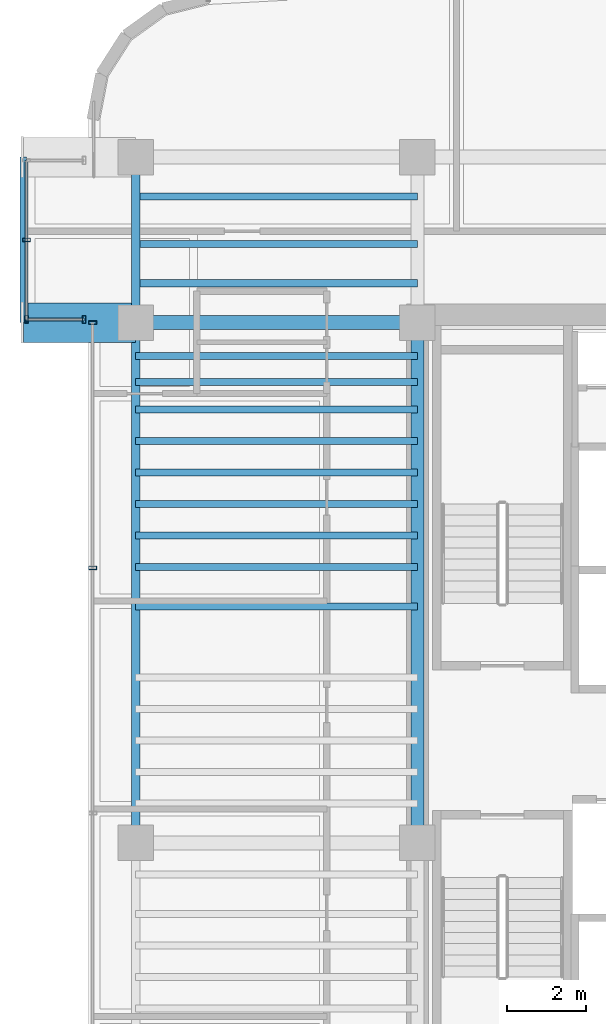
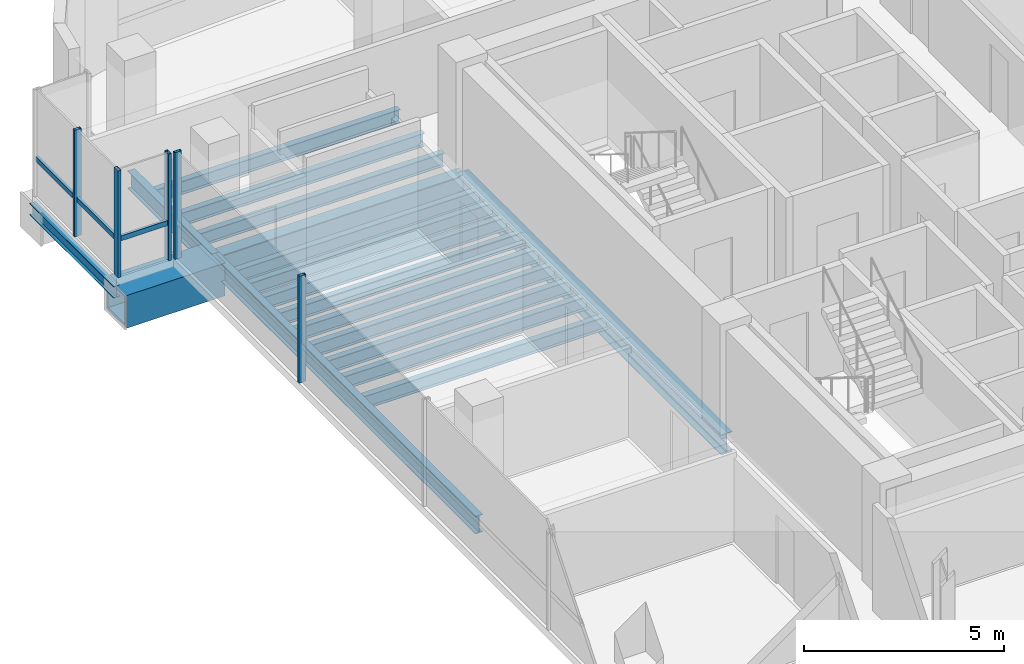
# One storey, part 8 of 21: 18 beams, 7 members, 3 elements without a shape of their own.
"""IFC4 building model written with IfcOpenShell, lengths in metres."""

import ifcopenshell
import ifcopenshell.guid

model = None  # the IFC model being written
_history = None  # IfcOwnerHistory: only IFC2X3 demands one
_inside = {}  # id of a spatial element -> (the spatial element, [elements in it])
_under = {}  # id of a project, library or spatial element -> (it, [spatial elements below it])
_declared = {}  # id of a project -> (the project, [libraries it declares])
_typed = {}  # id of a type object -> (the type object, [elements of that type])
_made_of = {}  # id of a material, layer set ... -> (it, [elements and type objects made of it])


def new_model(schema):
    """Start an empty IFC model of exactly this schema.

    Asked for "IFC4X3", IfcOpenShell would pick the latest addendum, in which some entities
    have other attributes; the version numbers below select the first issue.
    IFC2X3 requires an IfcOwnerHistory on every rooted entity: one is made here for all.
    """
    global model, _history
    if schema == "IFC4X3":
        model = ifcopenshell.file(schema_version=(4, 3, 0, 0))
    else:
        model = ifcopenshell.file(schema=schema)
    _inside.clear()
    _under.clear()
    _declared.clear()
    _typed.clear()
    _made_of.clear()
    _history = None
    if model.schema == "IFC2X3":
        org = make("IfcOrganization", Name="unknown")
        user = make(
            "IfcPersonAndOrganization",
            ThePerson=make("IfcPerson", FamilyName="unknown"),
            TheOrganization=org,
        )
        app = make(
            "IfcApplication",
            ApplicationDeveloper=org,
            Version="unknown",
            ApplicationFullName="unknown",
            ApplicationIdentifier="unknown",
        )
        _history = make(
            "IfcOwnerHistory",
            OwningUser=user,
            OwningApplication=app,
            ChangeAction="ADDED",
            CreationDate=0,
        )
    return model


def make(cls, **values):
    """One entity of the class cls with the attributes given. An attribute that is None is left unset."""
    return model.create_entity(
        cls, **{name: value for name, value in values.items() if value is not None}
    )


def rooted(cls, **values):
    """An entity with a GlobalId (a new one), such as an element, a storey or a relation."""
    return make(cls, GlobalId=ifcopenshell.guid.new(), OwnerHistory=_history, **values)


def si_unit(unit_type, name, prefix=None):
    """IfcSIUnit, for example si_unit("LENGTHUNIT", "METRE", prefix="MILLI")."""
    return make("IfcSIUnit", UnitType=unit_type, Prefix=prefix, Name=name)


def assignment(units):
    """IfcUnitAssignment: the units of a project."""
    return None if units is None else make("IfcUnitAssignment", Units=units)


def point(xyz):
    """IfcCartesianPoint."""
    return None if xyz is None else make("IfcCartesianPoint", Coordinates=xyz)


def direction(xyz):
    """IfcDirection."""
    return None if xyz is None else make("IfcDirection", DirectionRatios=xyz)


def frame(location, z_axis=None, x_axis=None):
    """IfcAxis2Placement3D, a coordinate frame: its origin and axes. An axis left out is left unset."""
    return make(
        "IfcAxis2Placement3D",
        Location=point(location),
        Axis=direction(z_axis),
        RefDirection=direction(x_axis),
    )


def frame_2d(location, x_axis=None):
    """IfcAxis2Placement2D, a coordinate frame in the plane: its origin and x axis."""
    return make(
        "IfcAxis2Placement2D", Location=point(location), RefDirection=direction(x_axis)
    )


def origin():
    """The frame at (0, 0, 0) with its axes left unset."""
    return frame((0.0, 0.0, 0.0))


def origin_2d():
    """The frame at (0, 0) in the plane with its x axis left unset."""
    return frame_2d((0.0, 0.0))


def place(relative_to, where):
    """IfcLocalPlacement: puts the frame where relative to a parent placement (None: the world)."""
    return make(
        "IfcLocalPlacement", PlacementRelTo=relative_to, RelativePlacement=where
    )


def context(
    kind, dimensions, precision=None, world=None, true_north=None, identifier=None
):
    """IfcGeometricRepresentationContext, for example the 3D "Model" context."""
    return make(
        "IfcGeometricRepresentationContext",
        ContextIdentifier=identifier,
        ContextType=kind,
        CoordinateSpaceDimension=dimensions,
        Precision=precision,
        WorldCoordinateSystem=world,
        TrueNorth=true_north,
    )


def subcontext(parent, identifier, kind, view, scale=None):
    """IfcGeometricRepresentationSubContext, for example "Body" below "Model"."""
    return make(
        "IfcGeometricRepresentationSubContext",
        ContextIdentifier=identifier,
        ContextType=kind,
        ParentContext=parent,
        TargetScale=scale,
        TargetView=view,
    )


def project(units=None, contexts=None):
    """IfcProject with its units and contexts."""
    return rooted(
        "IfcProject",
        Name="project",
        RepresentationContexts=contexts,
        UnitsInContext=assignment(units),
    )


def spatial(cls, under=None, at=None, **own):
    """A site, building, storey or space (cls), placed at a placement, below another one or the project."""
    s = rooted(cls, ObjectPlacement=at, **own)
    if under is not None:
        _under.setdefault(under.id(), (under, []))[1].append(s)
    return s


def profile(cls, at=None, kind="AREA", **sizes):
    """A parametric profile (cls). Its sizes go by their IFC names, for example OverallWidth=200.0."""
    return make(cls, ProfileType=kind, Position=at, **sizes)


def hollow_rectangle(**sizes):
    """IfcRectangleHollowProfileDef."""
    return profile("IfcRectangleHollowProfileDef", **sizes)


def i_section(**sizes):
    """IfcIShapeProfileDef."""
    return profile("IfcIShapeProfileDef", **sizes)


def extrude(swept, where, along, depth):
    """IfcExtrudedAreaSolid: the profile swept, set in the frame where, extruded along a direction by depth."""
    return make(
        "IfcExtrudedAreaSolid",
        SweptArea=swept,
        Position=where,
        ExtrudedDirection=direction(along),
        Depth=depth,
    )


def shape(context_of_items, identifier, shape_type, items):
    """IfcShapeRepresentation: the items that make up one representation, for example the "Body"."""
    return make(
        "IfcShapeRepresentation",
        ContextOfItems=context_of_items,
        RepresentationIdentifier=identifier,
        RepresentationType=shape_type,
        Items=items,
    )


def source(mapping_origin, context_of_items, identifier, shape_type, items):
    """IfcRepresentationMap: a shape defined once, which mapped items show again and again."""
    return make(
        "IfcRepresentationMap",
        MappingOrigin=mapping_origin,
        MappedRepresentation=shape(context_of_items, identifier, shape_type, items),
    )


def transform(
    local_origin,
    x_axis=None,
    y_axis=None,
    z_axis=None,
    scale=None,
    scale2=None,
    scale3=None,
    uniform=True,
):
    """IfcCartesianTransformationOperator3D, or its non-uniform kind. x_axis, y_axis, z_axis: its Axis1, 2, 3."""
    if uniform:
        return make(
            "IfcCartesianTransformationOperator3D",
            Axis1=direction(x_axis),
            Axis2=direction(y_axis),
            LocalOrigin=point(local_origin),
            Scale=scale,
            Axis3=direction(z_axis),
        )
    return make(
        "IfcCartesianTransformationOperator3DnonUniform",
        Axis1=direction(x_axis),
        Axis2=direction(y_axis),
        LocalOrigin=point(local_origin),
        Scale=scale,
        Axis3=direction(z_axis),
        Scale2=scale2,
        Scale3=scale3,
    )


def mapped(mapping_source, mapping_target):
    """IfcMappedItem: shows the shape of a source again, moved by a transform."""
    return make(
        "IfcMappedItem", MappingSource=mapping_source, MappingTarget=mapping_target
    )


def material(Name=None, Category=None):
    """IfcMaterial."""
    return make("IfcMaterial", Name=Name, Category=Category)


def material_profile(
    of_material, cross_section, Name=None, Category=None, Priority=None
):
    """IfcMaterialProfile: a cross section and its material."""
    return make(
        "IfcMaterialProfile",
        Name=Name,
        Material=of_material,
        Profile=cross_section,
        Priority=Priority,
        Category=Category,
    )


def profile_set(profiles, Name=None, composite=None):
    """IfcMaterialProfileSet."""
    return make(
        "IfcMaterialProfileSet",
        Name=Name,
        MaterialProfiles=profiles,
        CompositeProfile=composite,
    )


def made_of(thing, what):
    """Note that an element or type object is made of a material, layer set ...; save() writes the relation."""
    if what is not None:
        _made_of.setdefault(what.id(), (what, []))[1].append(thing)
    return thing


def type_object(cls, material=None, **own):
    """A type object (cls), such as IfcWallType, which elements share."""
    return made_of(rooted(cls, **own), material)


def element(
    cls,
    number,
    at=None,
    inside=None,
    cuts=None,
    type_object=None,
    material=None,
    context=None,
    identifier="Body",
    shape_type=None,
    held_by="IfcProductDefinitionShape",
    body=None,
    shapes=None,
    **own,
):
    """One element of the class cls, such as IfcWall. Its Tag is "e" and its number.

    at: its placement. inside: the storey or other place that contains it. cuts: it is an
    opening in that element (IfcRelVoidsElement). A single representation is given by context,
    identifier, shape_type and body (its items); several are given by shapes. held_by: the class
    of the entity that holds the representations. save() writes the other relations.
    """
    e = rooted(cls, Tag="e%d" % number, ObjectPlacement=at, **own)
    if body is not None:
        shapes = [shape(context, identifier, shape_type, body)]
    if shapes is not None:
        e.Representation = make(held_by, Representations=shapes)
    if inside is not None:
        _inside.setdefault(inside.id(), (inside, []))[1].append(e)
    if cuts is not None:
        rooted(
            "IfcRelVoidsElement", RelatingBuildingElement=cuts, RelatedOpeningElement=e
        )
    if type_object is not None:
        _typed.setdefault(type_object.id(), (type_object, []))[1].append(e)
    return made_of(e, material)


def aggregate(whole, parts):
    """IfcRelAggregates: a whole, such as a stair, and the parts it consists of."""
    return rooted("IfcRelAggregates", RelatingObject=whole, RelatedObjects=parts)


def save(model, path):
    """Write the relations noted so far, then the file.

    IfcRelAggregates (storeys below a building ...), IfcRelContainedInSpatialStructure (elements
    in a storey), IfcRelDefinesByType, IfcRelAssociatesMaterial and IfcRelDeclares: one each for
    every whole, place, type object, material and project.
    """
    for whole, parts in _under.values():
        aggregate(whole, parts)
    for where, things in _inside.values():
        rooted(
            "IfcRelContainedInSpatialStructure",
            RelatedElements=things,
            RelatingStructure=where,
        )
    for kind, things in _typed.values():
        rooted("IfcRelDefinesByType", RelatedObjects=things, RelatingType=kind)
    for what, things in _made_of.values():
        rooted("IfcRelAssociatesMaterial", RelatedObjects=things, RelatingMaterial=what)
    for by, libraries in _declared.values():
        rooted("IfcRelDeclares", RelatingContext=by, RelatedDefinitions=libraries)
    model.write(path)


model = new_model("IFC4")

# Units and contexts
model_context = context("Model", 3, precision=1e-05, world=origin(), true_north=direction((0.0, 1.0)))
body_context = subcontext(model_context, "Body", "Model", "MODEL_VIEW")
ifc_project = project(units=[si_unit("LENGTHUNIT", "METRE"), si_unit("AREAUNIT", "SQUARE_METRE"), si_unit("VOLUMEUNIT", "CUBIC_METRE"), si_unit("PLANEANGLEUNIT", "RADIAN"), si_unit("MASSUNIT", "GRAM", prefix="KILO")], contexts=[model_context])

# Site, building, storey
site_placement = place(None, origin())
site = spatial("IfcSite", under=ifc_project, at=site_placement, CompositionType="ELEMENT")
building_placement = place(site_placement, origin())
building = spatial("IfcBuilding", under=site, at=building_placement, Name="Valdorenza Pilgrim Sanctuary Tower", CompositionType="ELEMENT")
storey_placement = place(building_placement, frame((0.0, 0.0, 219.5)))
storey = spatial("IfcBuildingStorey", under=building, at=storey_placement, Name="L56", CompositionType="ELEMENT", Elevation=219.5)

# Beams
ifc_material_1 = material(Name="Steel ASTM A992 Grade 50", Category="steel")
ifc_material_profile_1 = material_profile(ifc_material_1, i_section(OverallWidth=0.323974609375, OverallDepth=0.611083984375, WebThickness=0.0126953125, FlangeThickness=0.01904296875, at=origin_2d()), Name="W24X104")
ifc_profile_set_1 = profile_set([ifc_material_profile_1], Name="Steel ASTM A992 Grade 50")
beam_type_1 = type_object("IfcBeamType", Name="STR-BM-GRD-W24B", PredefinedType="BEAM", material=ifc_profile_set_1)
shared_shape_1 = source(origin(), body_context, "Body", "SweptSolid", [
    extrude(i_section(OverallWidth=0.323974609375, OverallDepth=0.611083984375, WebThickness=0.0126953125, FlangeThickness=0.01904296875, at=origin_2d()), origin(), (0.0, 0.0, 1.0), 13.2001953125),
])
beam_1_placement = place(storey_placement, frame((-22.64990234375, -2.60009765625, -0.54541015625), z_axis=(0.0, 1.0, 0.0), x_axis=(-1.0, 0.0, 0.0)))
element("IfcBeam", 1, at=beam_1_placement, inside=storey, type_object=beam_type_1, Name="L56 Core Tie Girder CA-W-M0N1", PredefinedType="BEAM", context=body_context, shape_type="MappedRepresentation", body=[
    mapped(shared_shape_1, transform((0.0, 0.0, 0.0), x_axis=(1.0, 0.0, 0.0), y_axis=(0.0, 1.0, 0.0), z_axis=(0.0, 0.0, 1.0), scale=1.0)),
])
ifc_material_profile_2 = material_profile(ifc_material_1, i_section(OverallWidth=0.1708984375, OverallDepth=0.35107421875, WebThickness=0.0068359375, FlangeThickness=0.009765625, at=origin_2d()), Name="W14X30")
ifc_profile_set_2 = profile_set([ifc_material_profile_2], Name="Steel ASTM A992 Grade 50")
beam_type_2 = type_object("IfcBeamType", Name="STR-BM-BOX-W14", PredefinedType="BEAM", material=ifc_profile_set_2)
shared_shape_2 = source(origin(), body_context, "Body", "SweptSolid", [
    extrude(i_section(OverallWidth=0.1708984375, OverallDepth=0.35107421875, WebThickness=0.0068359375, FlangeThickness=0.009765625, at=origin_2d()), origin(), (0.0, 0.0, 1.0), 4.199951171875),
])
beam_2_placement = place(storey_placement, frame((-32.64990234375, 10.60009765625, -0.41552734375), z_axis=(0.0, 1.0, 0.0), x_axis=(-1.0, 0.0, 0.0)))
element("IfcBeam", 2, at=beam_2_placement, inside=storey, type_object=beam_type_2, Name="L56 Glass Box Edge Beam BOX-WA-L56-F", PredefinedType="BEAM", context=body_context, shape_type="MappedRepresentation", body=[
    mapped(shared_shape_2, transform((0.0, 0.0, 0.0), x_axis=(1.0, 0.0, 0.0), y_axis=(0.0, 1.0, 0.0), z_axis=(0.0, 0.0, 1.0), scale=1.0)),
])
ifc_material_2 = material(Name="Steel ASTM A572 Grade 42", Category="steel")
ifc_material_profile_3 = material_profile(ifc_material_2, hollow_rectangle(XDim=1.0, YDim=1.0, WallThickness=0.080078125, at=origin_2d()), Name="BOX 1000x1000x80")
ifc_profile_set_3 = profile_set([ifc_material_profile_3], Name="Steel ASTM A572 Grade 42")
beam_type_3 = type_object("IfcBeamType", Name="STR-BM-PROW-CANT", PredefinedType="BEAM", material=ifc_profile_set_3)
shared_shape_3 = source(origin(), body_context, "Body", "SweptSolid", [
    extrude(hollow_rectangle(XDim=1.0, YDim=1.0, WallThickness=0.080078125, at=origin_2d()), origin(), (0.0, 0.0, 1.0), 2.849853515625),
])
beam_3_placement = place(storey_placement, frame((-29.800048828125, 10.60009765625, -0.739990234375), z_axis=(-1.0, 0.0, 0.0), x_axis=(0.0, -1.0, 0.0)))
element("IfcBeam", 3, at=beam_3_placement, inside=storey, type_object=beam_type_3, Name="L56 Glass Box Cantilever Beam BOX-WA-L56-CT-S", PredefinedType="BEAM", context=body_context, shape_type="MappedRepresentation", body=[
    mapped(shared_shape_3, transform((0.0, 0.0, 0.0), x_axis=(1.0, 0.0, 0.0), y_axis=(0.0, 1.0, 0.0), z_axis=(0.0, 0.0, 1.0), scale=1.0)),
])
ifc_material_profile_4 = material_profile(ifc_material_1, i_section(OverallWidth=0.2109375, OverallDepth=0.5390625, WebThickness=0.01171875, FlangeThickness=0.018798828125, at=origin_2d()), Name="W21X73")
ifc_profile_set_4 = profile_set([ifc_material_profile_4], Name="Steel ASTM A992 Grade 50")
beam_type_4 = type_object("IfcBeamType", Name="STR-BM-SPN-W21B", PredefinedType="SPANDREL", material=ifc_profile_set_4)
shared_shape_4 = source(origin(), body_context, "Body", "SweptSolid", [
    extrude(i_section(OverallWidth=0.2109375, OverallDepth=0.5390625, WebThickness=0.01171875, FlangeThickness=0.018798828125, at=origin_2d()), origin(), (0.0, 0.0, 1.0), 13.2001953125),
])
beam_4_placement = place(storey_placement, frame((-29.800048828125, -2.60009765625, -0.509521484375), z_axis=(0.0, 1.0, 0.0), x_axis=(-1.0, 0.0, 0.0)))
element("IfcBeam", 4, at=beam_4_placement, inside=storey, type_object=beam_type_4, Name="L56 Spandrel Beam WA-W-M0N1", PredefinedType="SPANDREL", context=body_context, shape_type="MappedRepresentation", body=[
    mapped(shared_shape_4, transform((0.0, 0.0, 0.0), x_axis=(1.0, 0.0, 0.0), y_axis=(0.0, 1.0, 0.0), z_axis=(0.0, 0.0, 1.0), scale=1.0)),
])
shared_shape_5 = source(origin(), body_context, "Body", "SweptSolid", [
    extrude(i_section(OverallWidth=0.2109375, OverallDepth=0.5390625, WebThickness=0.01171875, FlangeThickness=0.018798828125, at=origin_2d()), origin(), (0.0, 0.0, 1.0), 4.199951171875),
])
beam_5_placement = place(storey_placement, frame((-29.800048828125, 10.60009765625, -0.509521484375), z_axis=(0.0, 1.0, 0.0), x_axis=(-1.0, 0.0, 0.0)))
element("IfcBeam", 5, at=beam_5_placement, inside=storey, type_object=beam_type_4, Name="L56 Spandrel Beam WA-W-N1N2", PredefinedType="SPANDREL", context=body_context, shape_type="MappedRepresentation", body=[
    mapped(shared_shape_5, transform((0.0, 0.0, 0.0), x_axis=(1.0, 0.0, 0.0), y_axis=(0.0, 1.0, 0.0), z_axis=(0.0, 0.0, 1.0), scale=1.0)),
])
ifc_material_profile_5 = material_profile(ifc_material_1, i_section(OverallWidth=0.35595703125, OverallDepth=0.700927734375, WebThickness=0.016845703125, FlangeThickness=0.02734375, at=origin_2d()), Name="W27X161")
ifc_profile_set_5 = profile_set([ifc_material_profile_5], Name="Steel ASTM A992 Grade 50")
beam_type_5 = type_object("IfcBeamType", Name="STR-BM-GRD-W27", PredefinedType="BEAM", material=ifc_profile_set_5)
shared_shape_6 = source(origin(), body_context, "Body", "SweptSolid", [
    extrude(i_section(OverallWidth=0.35595703125, OverallDepth=0.700927734375, WebThickness=0.016845703125, FlangeThickness=0.02734375, at=origin_2d()), origin(), (0.0, 0.0, 1.0), 7.150146484375),
])
beam_6_placement = place(storey_placement, frame((-29.800048828125, 10.60009765625, -0.590576171875), z_axis=(1.0, 0.0, 0.0), x_axis=(0.0, 1.0, 0.0)))
element("IfcBeam", 6, at=beam_6_placement, inside=storey, type_object=beam_type_5, Name="L56 Floor Girder WA-XW-N1", PredefinedType="BEAM", context=body_context, shape_type="MappedRepresentation", body=[
    mapped(shared_shape_6, transform((0.0, 0.0, 0.0), x_axis=(1.0, 0.0, 0.0), y_axis=(0.0, 1.0, 0.0), z_axis=(0.0, 0.0, 1.0), scale=1.0)),
])
ifc_material_profile_6 = material_profile(ifc_material_1, i_section(OverallWidth=0.177978515625, OverallDepth=0.406005859375, WebThickness=0.0078125, FlangeThickness=0.0126953125, at=origin_2d()), Name="W16X40")
ifc_profile_set_6 = profile_set([ifc_material_profile_6], Name="Steel ASTM A992 Grade 50")
beam_type_6 = type_object("IfcBeamType", Name="STR-BM-JST-W16", PredefinedType="JOIST", material=ifc_profile_set_6)
shared_shape_7 = source(origin(), body_context, "Body", "SweptSolid", [
    extrude(i_section(OverallWidth=0.177978515625, OverallDepth=0.406005859375, WebThickness=0.0078125, FlangeThickness=0.0126953125, at=origin_2d()), origin(), (0.0, 0.0, 1.0), 7.150146484375),
])
for number, where, z_axis, x_axis, name in (
    (7, (-29.800048828125, 3.39990234375, -0.443115234375), (1.0, 0.0, 0.0), (0.0, 1.0, 0.0), "L56 Composite Floor Joist JST-WA-15"),
    (8, (-29.800048828125, 4.39990234375, -0.443115234375), (1.0, 0.0, 0.0), (0.0, 1.0, 0.0), "L56 Composite Floor Joist JST-WA-16"),
    (9, (-29.800048828125, 5.199951171875, -0.443115234375), (1.0, 0.0, 0.0), (0.0, 1.0, 0.0), "L56 Composite Floor Joist JST-WA-17"),
    (10, (-29.800048828125, 6.0, -0.443115234375), (1.0, 0.0, 0.0), (0.0, 1.0, 0.0), "L56 Composite Floor Joist JST-WA-18"),
    (11, (-29.800048828125, 6.800048828125, -0.443115234375), (1.0, 0.0, 0.0), (0.0, 1.0, 0.0), "L56 Composite Floor Joist JST-WA-19"),
    (12, (-29.800048828125, 7.60009765625, -0.443115234375), (1.0, 0.0, 0.0), (0.0, 1.0, 0.0), "L56 Composite Floor Joist JST-WA-20"),
    (13, (-29.800048828125, 8.39990234375, -0.443115234375), (1.0, 0.0, 0.0), (0.0, 1.0, 0.0), "L56 Composite Floor Joist JST-WA-21"),
    (14, (-29.800048828125, 9.10009765625, -0.443115234375), (1.0, 0.0, 0.0), (0.0, 1.0, 0.0), "L56 Composite Floor Joist JST-WA-22"),
    (15, (-29.800048828125, 9.75, -0.443115234375), (1.0, 0.0, 0.0), (0.0, 1.0, 0.0), "L56 Composite Floor Joist JST-WA-23"),
    (16, (-29.800048828125, 11.60009765625, -0.443115234375), (1.0, 0.0, 0.0), (0.0, 1.0, 0.0), "L56 Composite Floor Joist JST-WA-24"),
    (17, (-29.800048828125, 12.60009765625, -0.443115234375), (1.0, 0.0, 0.0), (0.0, 1.0, 0.0), "L56 Composite Floor Joist JST-WA-25"),
    (18, (-29.800048828125, 13.800048828125, -0.443115234375), (1.0, 0.0, 0.0), (0.0, 1.0, 0.0), "L56 Composite Floor Joist JST-WA-26"),
):
    element("IfcBeam", number, at=place(storey_placement, frame(where, z_axis=z_axis, x_axis=x_axis)), inside=storey, type_object=beam_type_6, Name=name, PredefinedType="JOIST", context=body_context, shape_type="MappedRepresentation", body=[
        mapped(shared_shape_7, transform((0.0, 0.0, 0.0), x_axis=(1.0, 0.0, 0.0), y_axis=(0.0, 1.0, 0.0), z_axis=(0.0, 0.0, 1.0), scale=1.0)),
    ])

# Curtain wall, member
ifc_material_3 = material(Name="Curtain-wall IGU glazing", Category="glass")
curtain_wall_type = type_object("IfcCurtainWallType", Name="CW-SYS-02", PredefinedType="NOTDEFINED", material=ifc_material_3)
curtain_wall_1_placement = place(storey_placement, origin())
curtain_wall_1 = element("IfcCurtainWall", 19, at=curtain_wall_1_placement, inside=storey, type_object=curtain_wall_type, Name="L56 Curtain Wall CW-L56-BOX-WA-L56-S", PredefinedType="NOTDEFINED")
ifc_material_4 = material(Name="Anodised aluminium AW-6060", Category="aluminium")
ifc_material_profile_7 = material_profile(ifc_material_4, hollow_rectangle(XDim=0.074951171875, YDim=0.14990234375, WallThickness=0.00390625, at=origin_2d()), Name="ALU-T 150x75x4")
ifc_profile_set_7 = profile_set([ifc_material_profile_7], Name="Anodised aluminium AW-6060")
member_type_1 = type_object("IfcMemberType", Name="CW-TRN-02", PredefinedType="USERDEFINED", material=ifc_profile_set_7)
shared_shape_8 = source(origin(), body_context, "Body", "SweptSolid", [
    extrude(hollow_rectangle(XDim=0.074951171875, YDim=0.14990234375, WallThickness=0.00390625, at=origin_2d()), origin(), (0.0, 0.0, 1.0), 1.4599609375),
])
member_1_placement = place(storey_placement, frame((-31.110107421875, 10.679931640625, 1.1201171875), z_axis=(-1.0, 0.0, 0.0), x_axis=(0.0, -1.0, 0.0)))
member_1 = element("IfcMember", 20, at=member_1_placement, type_object=member_type_1, Name="CW-L56-BOX-WA-L56-S Transom 1", ObjectType="TRANSOM", PredefinedType="USERDEFINED", context=body_context, shape_type="MappedRepresentation", body=[
    mapped(shared_shape_8, transform((0.0, 0.0, 0.0), x_axis=(1.0, 0.0, 0.0), y_axis=(0.0, 1.0, 0.0), z_axis=(0.0, 0.0, 1.0), scale=1.0)),
])

curtain_wall_2_placement = place(storey_placement, origin())
curtain_wall_2 = element("IfcCurtainWall", 21, at=curtain_wall_2_placement, inside=storey, type_object=curtain_wall_type, Name="L56 Curtain Wall CW-L56-BOX-WA-L56-F", PredefinedType="NOTDEFINED")
shared_shape_9 = source(origin(), body_context, "Body", "SweptSolid", [
    extrude(hollow_rectangle(XDim=0.074951171875, YDim=0.14990234375, WallThickness=0.00390625, at=origin_2d()), origin(), (0.0, 0.0, 1.0), 4.0400390625),
])
member_2_placement = place(storey_placement, frame((-32.570068359375, 10.679931640625, 1.1201171875), z_axis=(0.0, 1.0, 0.0), x_axis=(-1.0, 0.0, 0.0)))
member_2 = element("IfcMember", 22, at=member_2_placement, type_object=member_type_1, Name="CW-L56-BOX-WA-L56-F Transom 1", ObjectType="TRANSOM", PredefinedType="USERDEFINED", context=body_context, shape_type="MappedRepresentation", body=[
    mapped(shared_shape_9, transform((0.0, 0.0, 0.0), x_axis=(1.0, 0.0, 0.0), y_axis=(0.0, 1.0, 0.0), z_axis=(0.0, 0.0, 1.0), scale=1.0)),
])

# Curtain wall, members
curtain_wall_3_placement = place(storey_placement, origin())
curtain_wall_3 = element("IfcCurtainWall", 23, at=curtain_wall_3_placement, inside=storey, type_object=curtain_wall_type, Name="L56 Curtain Wall CW-L56-1-1S1", PredefinedType="NOTDEFINED")
ifc_material_profile_8 = material_profile(ifc_material_4, hollow_rectangle(XDim=0.0849609375, YDim=0.199951171875, WallThickness=0.0048828125, at=origin_2d()), Name="ALU-M 200x85x5")
ifc_profile_set_8 = profile_set([ifc_material_profile_8], Name="Anodised aluminium AW-6060")
member_type_2 = type_object("IfcMemberType", Name="CW-MUL-02", PredefinedType="MULLION", material=ifc_profile_set_8)
shared_shape_10 = source(origin(), body_context, "Body", "SweptSolid", [
    extrude(hollow_rectangle(XDim=0.0849609375, YDim=0.199951171875, WallThickness=0.0048828125, at=origin_2d()), origin(), (0.0, 0.0, 1.0), 3.260009765625),
])
member_3_placement = place(storey_placement, frame((-30.889892578125, 4.377685546875, 0.0), z_axis=(0.0, 0.0, 1.0), x_axis=(0.0, 1.0, 0.0)))
member_3 = element("IfcMember", 24, at=member_3_placement, type_object=member_type_2, Name="CW-L56-1-1S1 Mullion 4", PredefinedType="MULLION", context=body_context, shape_type="MappedRepresentation", body=[
    mapped(shared_shape_10, transform((0.0, 0.0, 0.0), x_axis=(1.0, 0.0, 0.0), y_axis=(0.0, 1.0, 0.0), z_axis=(0.0, 0.0, 1.0), scale=1.0)),
])
member_4_placement = place(storey_placement, frame((-30.889892578125, 10.60009765625, 0.0), z_axis=(0.0, 0.0, 1.0), x_axis=(0.0, 1.0, 0.0)))
member_4 = element("IfcMember", 25, at=member_4_placement, type_object=member_type_2, Name="CW-L56-1-1S1 Mullion 5", PredefinedType="MULLION", context=body_context, shape_type="MappedRepresentation", body=[
    mapped(shared_shape_10, transform((0.0, 0.0, 0.0), x_axis=(1.0, 0.0, 0.0), y_axis=(0.0, 1.0, 0.0), z_axis=(0.0, 0.0, 1.0), scale=1.0)),
])
aggregate(curtain_wall_3, [member_3, member_4])

# Member
member_5_placement = place(storey_placement, frame((-31.110107421875, 10.679931640625, 0.0), z_axis=(0.0, 0.0, 1.0), x_axis=(-1.0, 0.0, 0.0)))
member_5 = element("IfcMember", 26, at=member_5_placement, type_object=member_type_2, Name="CW-L56-BOX-WA-L56-S Mullion 1", PredefinedType="MULLION", context=body_context, shape_type="MappedRepresentation", body=[
    mapped(shared_shape_10, transform((0.0, 0.0, 0.0), x_axis=(1.0, 0.0, 0.0), y_axis=(0.0, 1.0, 0.0), z_axis=(0.0, 0.0, 1.0), scale=1.0)),
])

member_6_placement = place(storey_placement, frame((-32.570068359375, 10.679931640625, 0.0), z_axis=(0.0, 0.0, 1.0), x_axis=(-1.0, 0.0, 0.0)))
member_6 = element("IfcMember", 27, at=member_6_placement, type_object=member_type_2, Name="CW-L56-BOX-WA-L56-S Mullion 2", PredefinedType="MULLION", context=body_context, shape_type="MappedRepresentation", body=[
    mapped(shared_shape_10, transform((0.0, 0.0, 0.0), x_axis=(1.0, 0.0, 0.0), y_axis=(0.0, 1.0, 0.0), z_axis=(0.0, 0.0, 1.0), scale=1.0)),
])

aggregate(curtain_wall_1, [member_5, member_6, member_1])

member_7_placement = place(storey_placement, frame((-32.570068359375, 12.699951171875, 0.0), z_axis=(0.0, 0.0, 1.0), x_axis=(0.0, 1.0, 0.0)))
member_7 = element("IfcMember", 28, at=member_7_placement, type_object=member_type_2, Name="CW-L56-BOX-WA-L56-F Mullion 2", PredefinedType="MULLION", context=body_context, shape_type="MappedRepresentation", body=[
    mapped(shared_shape_10, transform((0.0, 0.0, 0.0), x_axis=(1.0, 0.0, 0.0), y_axis=(0.0, 1.0, 0.0), z_axis=(0.0, 0.0, 1.0), scale=1.0)),
])

aggregate(curtain_wall_2, [member_7, member_2])

save(model, "model.ifc")
